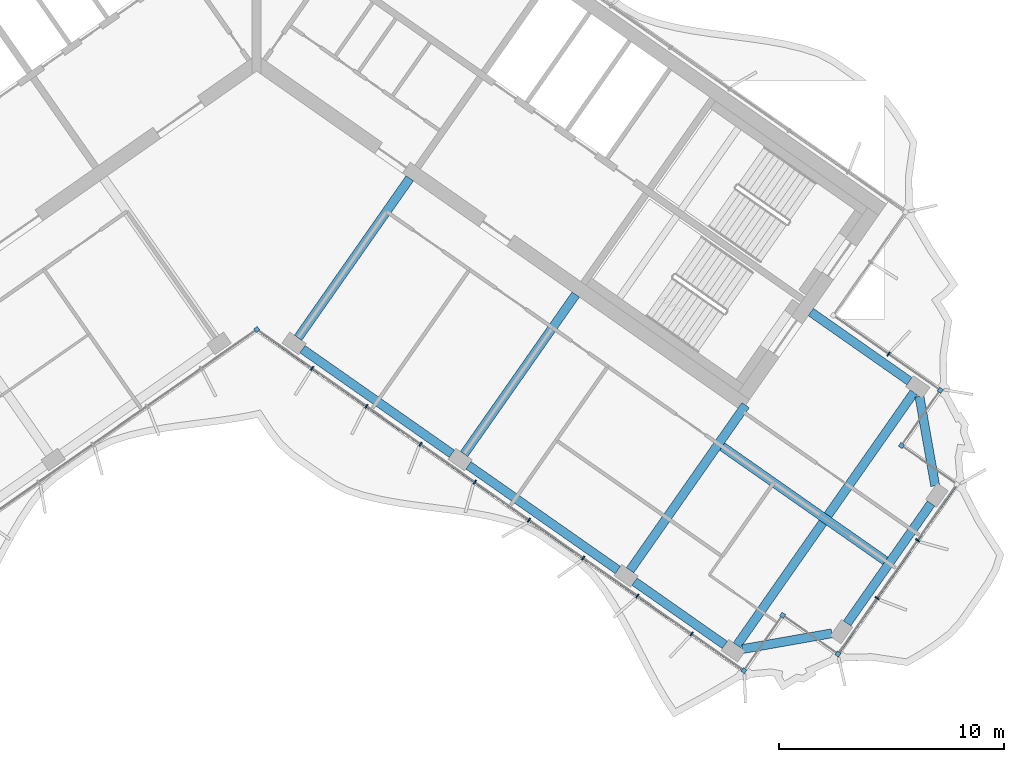
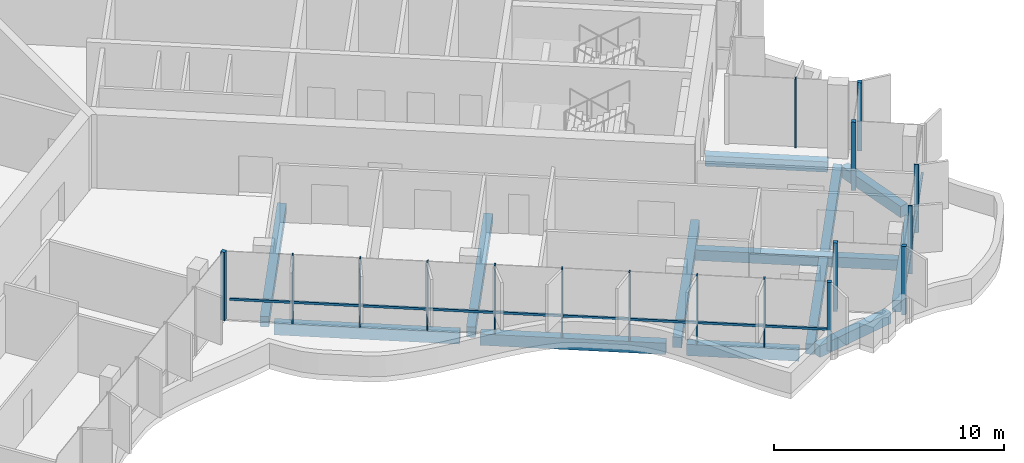
# One storey, part 4 of 18: 19 members, 12 beams, 1 element without a shape of its own.
"""IFC4 building model written with IfcOpenShell, lengths in metres."""

from ifc_helpers import new_model, si_unit, direction, frame, origin, origin_2d, place, context, subcontext, project, spatial, rectangle, extrude, material, material_profile, profile_set, type_object, element, aggregate, save


model = new_model("IFC4")

# Units and contexts
model_context = context("Model", 3, precision=1e-05, world=origin(), true_north=direction((0.0, 1.0)))
body_context = subcontext(model_context, "Body", "Model", "MODEL_VIEW")
ifc_project = project(units=[si_unit("LENGTHUNIT", "METRE"), si_unit("AREAUNIT", "SQUARE_METRE"), si_unit("VOLUMEUNIT", "CUBIC_METRE"), si_unit("PLANEANGLEUNIT", "RADIAN"), si_unit("MASSUNIT", "GRAM", prefix="KILO")], contexts=[model_context])

# Site, building, storey
site_placement = place(None, origin())
site = spatial("IfcSite", under=ifc_project, at=site_placement, CompositionType="ELEMENT")
building_placement = place(site_placement, origin())
building = spatial("IfcBuilding", under=site, at=building_placement, Name="Tel Ilan Convention Tower", CompositionType="ELEMENT")
storey_placement = place(building_placement, frame((0.0, 0.0, 264.39990234375)))
storey = spatial("IfcBuildingStorey", under=building, at=storey_placement, Name="L62", CompositionType="ELEMENT", Elevation=264.39990234375)

# Beams
ifc_material_1 = material(Name="Concrete C40/50", Category="concrete")
ifc_material_profile_1 = material_profile(ifc_material_1, rectangle(XDim=0.39990234375, YDim=0.550048828125, at=origin_2d()), Name="RC 400x550")
ifc_profile_set_1 = profile_set([ifc_material_profile_1], Name="Concrete C40/50")
beam_type_1 = type_object("IfcBeamType", Name="Beam RC 400x550 Concrete C40/50", PredefinedType="BEAM", material=ifc_profile_set_1)
beam_1_placement = place(storey_placement, frame((28.99462890625, -14.991943359375, -0.554931640625), z_axis=(-0.819146154531, 0.573584847705, 0.0), x_axis=(-0.573584847705, -0.819146154531, 0.0)))
element("IfcBeam", 1, at=beam_1_placement, inside=storey, type_object=beam_type_1, Name="L62 beam E-E-BC-core", PredefinedType="BEAM", context=body_context, shape_type="SweptSolid", body=[
    extrude(rectangle(XDim=0.39990234375, YDim=0.550048828125, at=origin_2d()), origin(), (0.0, 0.0, 1.0), 5.349853515625),
])
for number, where, z_axis, x_axis, name in (
    (2, (1.83740234375, -13.06689453125, -0.554931640625), (0.573574099654, 0.819153680457, 0.0), (-0.819153680457, 0.573574099654, 0.0), "L62 beam E-E-F1-core"),
    (3, (9.209716796875, -18.229248046875, -0.554931640625), (0.573574099654, 0.819153680457, 0.0), (-0.819153680457, 0.573574099654, 0.0), "L62 beam E-E-F2-core"),
):
    element("IfcBeam", number, at=place(storey_placement, frame(where, z_axis=z_axis, x_axis=x_axis)), inside=storey, type_object=beam_type_1, Name=name, PredefinedType="BEAM", context=body_context, shape_type="SweptSolid", body=[
        extrude(rectangle(XDim=0.39990234375, YDim=0.550048828125, at=origin_2d()), origin(), (0.0, 0.0, 1.0), 8.64990234375),
    ])
beam_2_placement = place(storey_placement, frame((16.58203125, -23.391357421875, -0.554931640625), z_axis=(0.573584999642, 0.819146048141, 0.0), x_axis=(-0.819146048141, 0.573584999642, 0.0)))
element("IfcBeam", 4, at=beam_2_placement, inside=storey, type_object=beam_type_1, Name="L62 beam E-E-F3-core", PredefinedType="BEAM", context=body_context, shape_type="SweptSolid", body=[
    extrude(rectangle(XDim=0.39990234375, YDim=0.550048828125, at=origin_2d()), origin(), (0.0, 0.0, 1.0), 8.949951171875),
])
beam_3_placement = place(storey_placement, frame((20.6748046875, -17.89501953125, -0.554931640625), z_axis=(0.819162208319, -0.573561920338, 0.0), x_axis=(0.573561920338, 0.819162208319, 0.0)))
element("IfcBeam", 5, at=beam_3_placement, inside=storey, type_object=beam_type_1, Name="L62 beam E-core-end", PredefinedType="BEAM", context=body_context, shape_type="SweptSolid", body=[
    extrude(rectangle(XDim=0.39990234375, YDim=0.550048828125, at=origin_2d()), origin(), (0.0, 0.0, 1.0), 9.0498046875),
])
beam_4_placement = place(storey_placement, frame((21.333251953125, -26.718017578125, -0.554931640625), z_axis=(0.57357117602, 0.819155727587, 0.0), x_axis=(-0.819155727587, 0.57357117602, 0.0)))
element("IfcBeam", 6, at=beam_4_placement, inside=storey, type_object=beam_type_1, Name="L62 beam E-E-FC-E-BC", PredefinedType="BEAM", context=body_context, shape_type="SweptSolid", body=[
    extrude(rectangle(XDim=0.39990234375, YDim=0.550048828125, at=origin_2d()), origin(), (0.0, 0.0, 1.0), 13.699951171875),
])
ifc_material_2 = material(Name="Concrete C40/50", Category="concrete")
ifc_material_profile_2 = material_profile(ifc_material_2, rectangle(XDim=0.39990234375, YDim=0.60009765625, at=origin_2d()), Name="RC 400x600")
ifc_profile_set_2 = profile_set([ifc_material_profile_2], Name="Concrete C40/50")
beam_type_2 = type_object("IfcBeamType", Name="Beam RC 400x600 Concrete C40/50", PredefinedType="BEAM", material=ifc_profile_set_2)
beam_5_placement = place(storey_placement, frame((2.033935546875, -13.57080078125, -0.579833984375), z_axis=(0.81914553362, -0.573585734437, 0.0), x_axis=(0.573585734437, 0.81914553362, 0.0)))
element("IfcBeam", 7, at=beam_5_placement, inside=storey, type_object=beam_type_2, Name="L62 beam E-E-F1-E-F2", PredefinedType="BEAM", context=body_context, shape_type="SweptSolid", body=[
    extrude(rectangle(XDim=0.39990234375, YDim=0.60009765625, at=origin_2d()), origin(), (0.0, 0.0, 1.0), 8.099853515625),
])
beam_6_placement = place(storey_placement, frame((9.40625, -18.73291015625, -0.579833984375), z_axis=(0.819155449703, -0.573571572885, 0.0), x_axis=(0.573571572885, 0.819155449703, 0.0)))
element("IfcBeam", 8, at=beam_6_placement, inside=storey, type_object=beam_type_2, Name="L62 beam E-E-F2-E-F3", PredefinedType="BEAM", context=body_context, shape_type="SweptSolid", body=[
    extrude(rectangle(XDim=0.39990234375, YDim=0.60009765625, at=origin_2d()), origin(), (0.0, 0.0, 1.0), 8.10009765625),
])
beam_7_placement = place(storey_placement, frame((16.778564453125, -23.895263671875, -0.579833984375), z_axis=(0.819154669329, -0.573572687386, 0.0), x_axis=(0.573572687386, 0.819154669329, 0.0)))
element("IfcBeam", 9, at=beam_7_placement, inside=storey, type_object=beam_type_2, Name="L62 beam E-E-F3-E-FC", PredefinedType="BEAM", context=body_context, shape_type="SweptSolid", body=[
    extrude(rectangle(XDim=0.39990234375, YDim=0.60009765625, at=origin_2d()), origin(), (0.0, 0.0, 1.0), 4.900146484375),
])
beam_8_placement = place(storey_placement, frame((21.578857421875, -26.89013671875, -0.579833984375), z_axis=(0.984804894423, 0.173664388751, 0.0), x_axis=(-0.173664388751, 0.984804894423, 0.0)))
element("IfcBeam", 10, at=beam_8_placement, inside=storey, type_object=beam_type_2, Name="L62 beam E-E-FC-E-E1", PredefinedType="BEAM", context=body_context, shape_type="SweptSolid", body=[
    extrude(rectangle(XDim=0.39990234375, YDim=0.60009765625, at=origin_2d()), origin(), (0.0, 0.0, 1.0), 4.030517578125),
])
beam_9_placement = place(storey_placement, frame((26.22412109375, -25.748046875, -0.579833984375), z_axis=(0.573580816643, 0.819148977158, 0.0), x_axis=(-0.819148977158, 0.573580816643, 0.0)))
element("IfcBeam", 11, at=beam_9_placement, inside=storey, type_object=beam_type_2, Name="L62 beam E-E-E1-E-E2", PredefinedType="BEAM", context=body_context, shape_type="SweptSolid", body=[
    extrude(rectangle(XDim=0.39990234375, YDim=0.60009765625, at=origin_2d()), origin(), (0.0, 0.0, 1.0), 6.5),
])
beam_10_placement = place(storey_placement, frame((30.13671875, -19.63720703125, -0.579833984375), z_axis=(-0.173595285393, 0.984817077883, 0.0), x_axis=(-0.984817077883, -0.173595285393, 0.0)))
element("IfcBeam", 12, at=beam_10_placement, inside=storey, type_object=beam_type_2, Name="L62 beam E-E-E2-E-BC", PredefinedType="BEAM", context=body_context, shape_type="SweptSolid", body=[
    extrude(rectangle(XDim=0.39990234375, YDim=0.60009765625, at=origin_2d()), origin(), (0.0, 0.0, 1.0), 4.03076171875),
])

# Curtain wall, members
ifc_material_3 = material(Name="Aluminium, bronze anodised", Category="aluminium")
curtain_wall_type = type_object("IfcCurtainWallType", Name="CW5 STICK CURTAIN WALL, UPPER OFFICE LOW-IRON TINTED GLASS", PredefinedType="NOTDEFINED", material=ifc_material_3)
curtain_wall_placement = place(storey_placement, origin())
curtain_wall = element("IfcCurtainWall", 13, at=curtain_wall_placement, inside=storey, type_object=curtain_wall_type, Name="Curtain wall CW5-47.02", PredefinedType="NOTDEFINED")
ifc_material_4 = material(Name="Aluminium, bronze anodised", Category="aluminium")
ifc_material_profile_3 = material_profile(ifc_material_4, rectangle(XDim=0.199951171875, YDim=0.199951171875, at=origin_2d()), Name="CW CORNER MULLION 200x200")
ifc_profile_set_3 = profile_set([ifc_material_profile_3], Name="Aluminium, bronze anodised")
member_type_1 = type_object("IfcMemberType", Name="CW CORNER MULLION 200x200", PredefinedType="MULLION", material=ifc_profile_set_3)
member_1_placement = place(storey_placement, frame((0.0, -12.696044921875, 0.0), z_axis=(0.0, 0.0, 1.0), x_axis=(0.819152044289, 0.573576436351, 0.0)))
member_1 = element("IfcMember", 14, at=member_1_placement, type_object=member_type_1, Name="Corner mullion", PredefinedType="MULLION", context=body_context, shape_type="SweptSolid", body=[
    extrude(rectangle(XDim=0.199951171875, YDim=0.199951171875, at=origin_2d()), origin(), (0.0, 0.0, 1.0), 3.6201171875),
])
member_2_placement = place(storey_placement, frame((21.64013671875, -27.8486328125, 0.0), z_axis=(0.0, 0.0, 1.0), x_axis=(0.819152044289, -0.573576436351, 0.0)))
member_2 = element("IfcMember", 15, at=member_2_placement, type_object=member_type_1, Name="Corner mullion", PredefinedType="MULLION", context=body_context, shape_type="SweptSolid", body=[
    extrude(rectangle(XDim=0.199951171875, YDim=0.199951171875, at=origin_2d()), origin(), (0.0, 0.0, 1.0), 3.6201171875),
])
member_3_placement = place(storey_placement, frame((23.36083984375, -25.391357421875, 0.0), z_axis=(0.0, 0.0, 1.0), x_axis=(0.573576436351, 0.819152044289, 0.0)))
member_3 = element("IfcMember", 16, at=member_3_placement, type_object=member_type_1, Name="Corner mullion", PredefinedType="MULLION", context=body_context, shape_type="SweptSolid", body=[
    extrude(rectangle(XDim=0.199951171875, YDim=0.199951171875, at=origin_2d()), origin(), (0.0, 0.0, 1.0), 3.6201171875),
])
member_4_placement = place(storey_placement, frame((25.818359375, -27.112060546875, 0.0), z_axis=(0.0, 0.0, 1.0), x_axis=(0.819152044289, -0.573576436351, 0.0)))
member_4 = element("IfcMember", 17, at=member_4_placement, type_object=member_type_1, Name="Corner mullion", PredefinedType="MULLION", context=body_context, shape_type="SweptSolid", body=[
    extrude(rectangle(XDim=0.199951171875, YDim=0.199951171875, at=origin_2d()), origin(), (0.0, 0.0, 1.0), 3.6201171875),
])
member_5_placement = place(storey_placement, frame((28.637939453125, -17.85498046875, 0.0), z_axis=(0.0, 0.0, 1.0), x_axis=(-0.819152044289, 0.573576436351, 0.0)))
member_5 = element("IfcMember", 18, at=member_5_placement, type_object=member_type_1, Name="Corner mullion", PredefinedType="MULLION", context=body_context, shape_type="SweptSolid", body=[
    extrude(rectangle(XDim=0.199951171875, YDim=0.199951171875, at=origin_2d()), origin(), (0.0, 0.0, 1.0), 3.6201171875),
])
member_6_placement = place(storey_placement, frame((30.358642578125, -15.397705078125, 0.0), z_axis=(0.0, 0.0, 1.0), x_axis=(0.573576436351, 0.819152044289, 0.0)))
member_6 = element("IfcMember", 19, at=member_6_placement, type_object=member_type_1, Name="Corner mullion", PredefinedType="MULLION", context=body_context, shape_type="SweptSolid", body=[
    extrude(rectangle(XDim=0.199951171875, YDim=0.199951171875, at=origin_2d()), origin(), (0.0, 0.0, 1.0), 3.6201171875),
])
ifc_material_5 = material(Name="Aluminium, bronze anodised", Category="aluminium")
ifc_material_profile_4 = material_profile(ifc_material_5, rectangle(XDim=0.06005859375, YDim=0.199951171875, at=origin_2d()), Name="CW MULLION 60x200")
ifc_profile_set_4 = profile_set([ifc_material_profile_4], Name="Aluminium, bronze anodised")
member_type_2 = type_object("IfcMemberType", Name="CW MULLION 60x200", PredefinedType="MULLION", material=ifc_profile_set_4)
member_7_placement = place(storey_placement, frame((2.464599609375, -14.421875, 0.0), z_axis=(0.0, 0.0, 1.0), x_axis=(0.819152044289, -0.573576436351, 0.0)))
member_7 = element("IfcMember", 20, at=member_7_placement, type_object=member_type_2, Name="Mullion", PredefinedType="MULLION", context=body_context, shape_type="SweptSolid", body=[
    extrude(rectangle(XDim=0.06005859375, YDim=0.199951171875, at=origin_2d()), origin(), (0.0, 0.0, 1.0), 3.6201171875),
])
member_8_placement = place(storey_placement, frame((4.871826171875, -16.107177734375, 0.0), z_axis=(0.0, 0.0, 1.0), x_axis=(0.819152044289, -0.573576436351, 0.0)))
member_8 = element("IfcMember", 21, at=member_8_placement, type_object=member_type_2, Name="Mullion", PredefinedType="MULLION", context=body_context, shape_type="SweptSolid", body=[
    extrude(rectangle(XDim=0.06005859375, YDim=0.199951171875, at=origin_2d()), origin(), (0.0, 0.0, 1.0), 3.6201171875),
])
member_9_placement = place(storey_placement, frame((7.279052734375, -17.792724609375, 0.0), z_axis=(0.0, 0.0, 1.0), x_axis=(0.819152044289, -0.573576436351, 0.0)))
member_9 = element("IfcMember", 22, at=member_9_placement, type_object=member_type_2, Name="Mullion", PredefinedType="MULLION", context=body_context, shape_type="SweptSolid", body=[
    extrude(rectangle(XDim=0.06005859375, YDim=0.199951171875, at=origin_2d()), origin(), (0.0, 0.0, 1.0), 3.6201171875),
])
member_10_placement = place(storey_placement, frame((9.68603515625, -19.478271484375, 0.0), z_axis=(0.0, 0.0, 1.0), x_axis=(0.819152044289, -0.573576436351, 0.0)))
member_10 = element("IfcMember", 23, at=member_10_placement, type_object=member_type_2, Name="Mullion", PredefinedType="MULLION", context=body_context, shape_type="SweptSolid", body=[
    extrude(rectangle(XDim=0.06005859375, YDim=0.199951171875, at=origin_2d()), origin(), (0.0, 0.0, 1.0), 3.6201171875),
])
member_11_placement = place(storey_placement, frame((12.09326171875, -21.163818359375, 0.0), z_axis=(0.0, 0.0, 1.0), x_axis=(0.819152044289, -0.573576436351, 0.0)))
member_11 = element("IfcMember", 24, at=member_11_placement, type_object=member_type_2, Name="Mullion", PredefinedType="MULLION", context=body_context, shape_type="SweptSolid", body=[
    extrude(rectangle(XDim=0.06005859375, YDim=0.199951171875, at=origin_2d()), origin(), (0.0, 0.0, 1.0), 3.6201171875),
])
member_12_placement = place(storey_placement, frame((14.50048828125, -22.849365234375, 0.0), z_axis=(0.0, 0.0, 1.0), x_axis=(0.819152044289, -0.573576436351, 0.0)))
member_12 = element("IfcMember", 25, at=member_12_placement, type_object=member_type_2, Name="Mullion", PredefinedType="MULLION", context=body_context, shape_type="SweptSolid", body=[
    extrude(rectangle(XDim=0.06005859375, YDim=0.199951171875, at=origin_2d()), origin(), (0.0, 0.0, 1.0), 3.6201171875),
])
member_13_placement = place(storey_placement, frame((16.90771484375, -24.534912109375, 0.0), z_axis=(0.0, 0.0, 1.0), x_axis=(0.819152044289, -0.573576436351, 0.0)))
member_13 = element("IfcMember", 26, at=member_13_placement, type_object=member_type_2, Name="Mullion", PredefinedType="MULLION", context=body_context, shape_type="SweptSolid", body=[
    extrude(rectangle(XDim=0.06005859375, YDim=0.199951171875, at=origin_2d()), origin(), (0.0, 0.0, 1.0), 3.6201171875),
])
member_14_placement = place(storey_placement, frame((19.31494140625, -26.220458984375, 0.0), z_axis=(0.0, 0.0, 1.0), x_axis=(0.819152044289, -0.573576436351, 0.0)))
member_14 = element("IfcMember", 27, at=member_14_placement, type_object=member_type_2, Name="Mullion", PredefinedType="MULLION", context=body_context, shape_type="SweptSolid", body=[
    extrude(rectangle(XDim=0.06005859375, YDim=0.199951171875, at=origin_2d()), origin(), (0.0, 0.0, 1.0), 3.6201171875),
])
member_15_placement = place(storey_placement, frame((27.558349609375, -24.627197265625, 0.0), z_axis=(0.0, 0.0, 1.0), x_axis=(0.573576436351, 0.819152044289, 0.0)))
member_15 = element("IfcMember", 28, at=member_15_placement, type_object=member_type_2, Name="Mullion", PredefinedType="MULLION", context=body_context, shape_type="SweptSolid", body=[
    extrude(rectangle(XDim=0.06005859375, YDim=0.199951171875, at=origin_2d()), origin(), (0.0, 0.0, 1.0), 3.6201171875),
])
member_16_placement = place(storey_placement, frame((29.35546875, -22.060546875, 0.0), z_axis=(0.0, 0.0, 1.0), x_axis=(0.573576436351, 0.819152044289, 0.0)))
member_16 = element("IfcMember", 29, at=member_16_placement, type_object=member_type_2, Name="Mullion", PredefinedType="MULLION", context=body_context, shape_type="SweptSolid", body=[
    extrude(rectangle(XDim=0.06005859375, YDim=0.199951171875, at=origin_2d()), origin(), (0.0, 0.0, 1.0), 3.6201171875),
])
member_17_placement = place(storey_placement, frame((28.06494140625, -13.79150390625, 0.0), z_axis=(0.0, 0.0, 1.0), x_axis=(-0.819152044289, 0.573576436351, 0.0)))
member_17 = element("IfcMember", 30, at=member_17_placement, type_object=member_type_2, Name="Mullion", PredefinedType="MULLION", context=body_context, shape_type="SweptSolid", body=[
    extrude(rectangle(XDim=0.06005859375, YDim=0.199951171875, at=origin_2d()), origin(), (0.0, 0.0, 1.0), 3.6201171875),
])
ifc_material_6 = material(Name="Aluminium, bronze anodised", Category="aluminium")
ifc_material_profile_5 = material_profile(ifc_material_6, rectangle(XDim=0.10009765625, YDim=0.1201171875, at=origin_2d()), Name="CW TRANSOM 100x120")
ifc_profile_set_5 = profile_set([ifc_material_profile_5], Name="Aluminium, bronze anodised")
member_type_3 = type_object("IfcMemberType", Name="CW TRANSOM 100x120", PredefinedType="USERDEFINED", material=ifc_profile_set_5)
member_18_placement = place(storey_placement, frame((0.22119140625, -12.850830078125, 1.10009765625), z_axis=(0.819152212587, -0.573576195996, 0.0), x_axis=(0.573576195996, 0.819152212587, 0.0)))
member_18 = element("IfcMember", 31, at=member_18_placement, type_object=member_type_3, Name="Transom", ObjectType="TRANSOM", PredefinedType="USERDEFINED", context=body_context, shape_type="SweptSolid", body=[
    extrude(rectangle(XDim=0.10009765625, YDim=0.1201171875, at=origin_2d()), origin(), (0.0, 0.0, 1.0), 26.0478515625),
])
member_19_placement = place(storey_placement, frame((25.875732421875, -27.030029296875, 1.10009765625), z_axis=(0.573573395961, 0.819154173185, 0.0), x_axis=(-0.819154173185, 0.573573395961, 0.0)))
member_19 = element("IfcMember", 32, at=member_19_placement, type_object=member_type_3, Name="Transom", ObjectType="TRANSOM", PredefinedType="USERDEFINED", context=body_context, shape_type="SweptSolid", body=[
    extrude(rectangle(XDim=0.10009765625, YDim=0.1201171875, at=origin_2d()), origin(), (0.0, 0.0, 1.0), 9.0),
])
aggregate(curtain_wall, [member_1, member_7, member_8, member_9, member_10, member_11, member_12, member_13, member_14, member_2, member_18, member_3, member_4, member_15, member_16, member_19, member_5, member_6, member_17])

save(model, "model.ifc")
